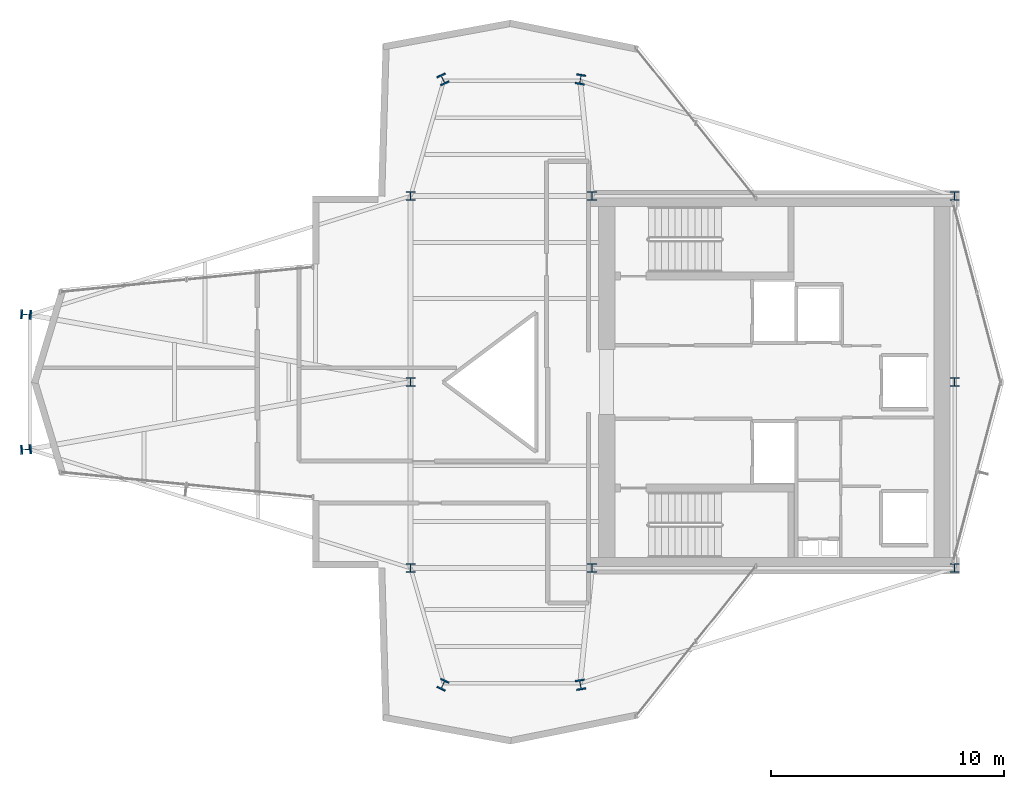
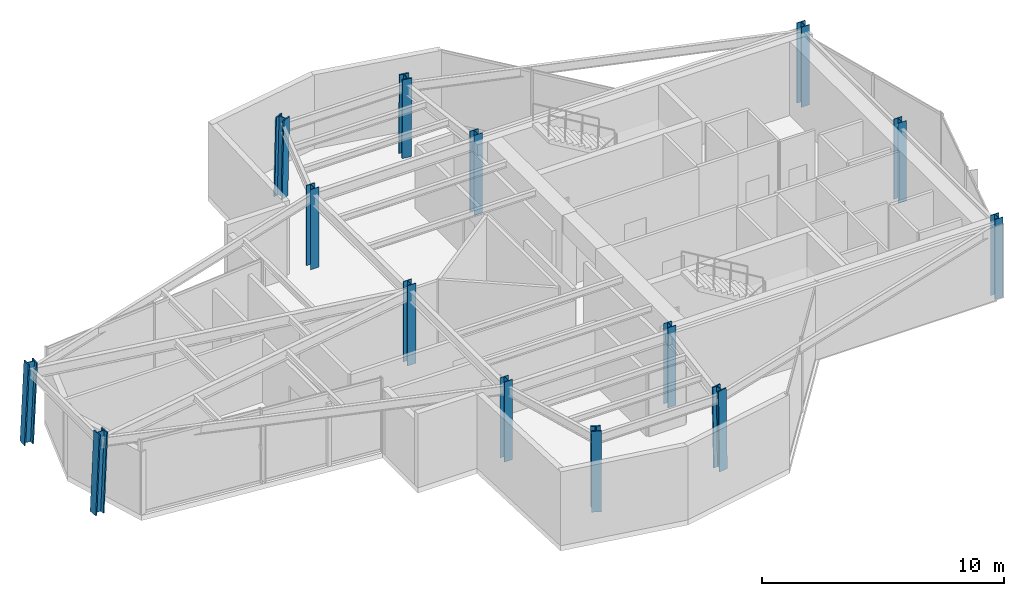
# One storey, part 1 of 23: 14 columns.
"""IFC4 building model written with IfcOpenShell, lengths in metres."""

from ifc_helpers import new_model, si_unit, direction, frame, origin, origin_2d, place, context, subcontext, project, spatial, i_section, extrude, material, material_profile, profile_set, type_object, element, save


model = new_model("IFC4")

# Units and contexts
model_context = context("Model", 3, precision=1e-05, world=origin(), true_north=direction((0.0, 1.0)))
body_context = subcontext(model_context, "Body", "Model", "MODEL_VIEW")
ifc_project = project(units=[si_unit("LENGTHUNIT", "METRE"), si_unit("AREAUNIT", "SQUARE_METRE"), si_unit("VOLUMEUNIT", "CUBIC_METRE"), si_unit("PLANEANGLEUNIT", "RADIAN"), si_unit("MASSUNIT", "GRAM", prefix="KILO")], contexts=[model_context])

# Site, building, storey
site_placement = place(None, origin())
site = spatial("IfcSite", under=ifc_project, at=site_placement, CompositionType="ELEMENT")
building_placement = place(site_placement, origin())
building = spatial("IfcBuilding", under=site, at=building_placement, Name="Veymaron Broadcast Tower", CompositionType="ELEMENT")
storey_placement = place(building_placement, frame((0.0, 0.0, 252.60009765625)))
storey = spatial("IfcBuildingStorey", under=building, at=storey_placement, Name="L59", CompositionType="ELEMENT", Elevation=252.60009765625)

# Columns
ifc_material_1 = material(Name="Structural steel ASTM A992 Gr 50", Category="steel")
ifc_material_profile_1 = material_profile(ifc_material_1, i_section(OverallWidth=0.39404296875, OverallDepth=0.375, WebThickness=0.017333984375, FlangeThickness=0.027587890625, at=origin_2d()), Name="W360X216")
ifc_profile_set_1 = profile_set([ifc_material_profile_1], Name="Structural steel ASTM A992 Gr 50")
column_type_1 = type_object("IfcColumnType", Name="COL-HC3", PredefinedType="COLUMN", material=ifc_profile_set_1)
for number, where, z_axis, x_axis, name in (
    (1, (31.199951171875, 16.0, 0.0), (0.0, 0.0, 1.0), (1.0, 0.0, 0.0), "L59 structural hub and core column"),
    (2, (31.199951171875, 24.0, 0.0), (0.0, 0.0, 1.0), (1.0, 0.0, 0.0), "L59 structural hub and core column"),
    (3, (31.199951171875, 32.0, 0.0), (0.0, 0.0, 1.0), (1.0, 0.0, 0.0), "L59 structural hub and core column"),
    (4, (39.0, 16.0, 0.0), (0.0, 0.0, 1.0), (1.0, 0.0, 0.0), "L59 structural hub and core column"),
    (5, (39.0, 32.0, 0.0), (0.0, 0.0, 1.0), (1.0, 0.0, 0.0), "L59 structural hub and core column"),
    (6, (54.60009765625, 16.0, 0.0), (0.0, 0.0, 1.0), (1.0, 0.0, 0.0), "L59 structural hub and core column"),
    (7, (54.60009765625, 24.0, 0.0), (0.0, 0.0, 1.0), (1.0, 0.0, 0.0), "L59 structural hub and core column"),
    (8, (54.60009765625, 32.0, 0.0), (0.0, 0.0, 1.0), (1.0, 0.0, 0.0), "L59 structural hub and core column"),
):
    element("IfcColumn", number, at=place(storey_placement, frame(where, z_axis=z_axis, x_axis=x_axis)), inside=storey, type_object=column_type_1, Name=name, PredefinedType="COLUMN", context=body_context, shape_type="SweptSolid", body=[
        extrude(i_section(OverallWidth=0.39404296875, OverallDepth=0.375, WebThickness=0.017333984375, FlangeThickness=0.027587890625, at=origin_2d()), origin(), (0.0, 0.0, 1.0), 4.0439453125),
    ])
ifc_material_2 = material(Name="Structural steel ASTM A913 Gr 65", Category="steel")
ifc_material_profile_2 = material_profile(ifc_material_2, i_section(OverallWidth=0.412109375, OverallDepth=0.43505859375, WebThickness=0.035888671875, FlangeThickness=0.05810546875, at=origin_2d()), Name="W360X463")
ifc_profile_set_2 = profile_set([ifc_material_profile_2], Name="Structural steel ASTM A913 Gr 65")
column_type_2 = type_object("IfcColumnType", Name="COL-MC3", PredefinedType="COLUMN", material=ifc_profile_set_2)
for number, where, z_axis, x_axis, name in (
    (9, (14.631103515625, 21.094970703125, 0.015869140625), (0.044553853696, 0.003217103877, 0.999001803984), (-0.072019578449, 0.997403218523, 0.0), "L59 Tapered Wing Mega Column"),
    (10, (14.631103515625, 26.905029296875, 0.015869140625), (0.044553853696, -0.003217103877, 0.999001803984), (0.072019578449, 0.997403218523, 0.0), "L59 Tapered Wing Mega Column"),
):
    element("IfcColumn", number, at=place(storey_placement, frame(where, z_axis=z_axis, x_axis=x_axis)), inside=storey, type_object=column_type_2, Name=name, PredefinedType="COLUMN", context=body_context, shape_type="SweptSolid", body=[
        extrude(i_section(OverallWidth=0.412109375, OverallDepth=0.43505859375, WebThickness=0.035888671875, FlangeThickness=0.05810546875, at=origin_2d()), origin(), (0.0, 0.0, 1.0), 4.02197265625),
    ])
column_1_placement = place(storey_placement, frame((32.5859375, 37.030029296875, 0.015869140625), z_axis=(0.009051266318, -0.01943896122, 0.999770074249), x_axis=(0.90654468166, 0.422109867398, 0.0)))
element("IfcColumn", 11, at=column_1_placement, inside=storey, type_object=column_type_2, Name="L59 Tapered Wing Mega Column", PredefinedType="COLUMN", context=body_context, shape_type="SweptSolid", body=[
    extrude(i_section(OverallWidth=0.412109375, OverallDepth=0.43505859375, WebThickness=0.035888671875, FlangeThickness=0.05810546875, at=origin_2d()), origin(), (0.0, 0.0, 1.0), 4.01904296875),
])
column_2_placement = place(storey_placement, frame((38.5048828125, 37.030029296875, 0.015869140625), z_axis=(-0.003219693154, -0.019439656781, 0.999805847813), x_axis=(0.986560065704, -0.163399010882, 0.0)))
element("IfcColumn", 12, at=column_2_placement, inside=storey, type_object=column_type_2, Name="L59 Tapered Wing Mega Column", PredefinedType="COLUMN", context=body_context, shape_type="SweptSolid", body=[
    extrude(i_section(OverallWidth=0.412109375, OverallDepth=0.43505859375, WebThickness=0.035888671875, FlangeThickness=0.05810546875, at=origin_2d()), origin(), (0.0, 0.0, 1.0), 4.018798828125),
])
column_3_placement = place(storey_placement, frame((32.5859375, 10.969970703125, 0.015869140625), z_axis=(0.009051266318, 0.01943896122, 0.999770074249), x_axis=(-0.90654468166, 0.422109867398, 0.0)))
element("IfcColumn", 13, at=column_3_placement, inside=storey, type_object=column_type_2, Name="L59 Tapered Wing Mega Column", PredefinedType="COLUMN", context=body_context, shape_type="SweptSolid", body=[
    extrude(i_section(OverallWidth=0.412109375, OverallDepth=0.43505859375, WebThickness=0.035888671875, FlangeThickness=0.05810546875, at=origin_2d()), origin(), (0.0, 0.0, 1.0), 4.01904296875),
])
column_4_placement = place(storey_placement, frame((38.5048828125, 10.969970703125, 0.015869140625), z_axis=(-0.003219693154, 0.019439656781, 0.999805847813), x_axis=(-0.986560065704, -0.163399010882, 0.0)))
element("IfcColumn", 14, at=column_4_placement, inside=storey, type_object=column_type_2, Name="L59 Tapered Wing Mega Column", PredefinedType="COLUMN", context=body_context, shape_type="SweptSolid", body=[
    extrude(i_section(OverallWidth=0.412109375, OverallDepth=0.43505859375, WebThickness=0.035888671875, FlangeThickness=0.05810546875, at=origin_2d()), origin(), (0.0, 0.0, 1.0), 4.018798828125),
])

save(model, "model.ifc")
